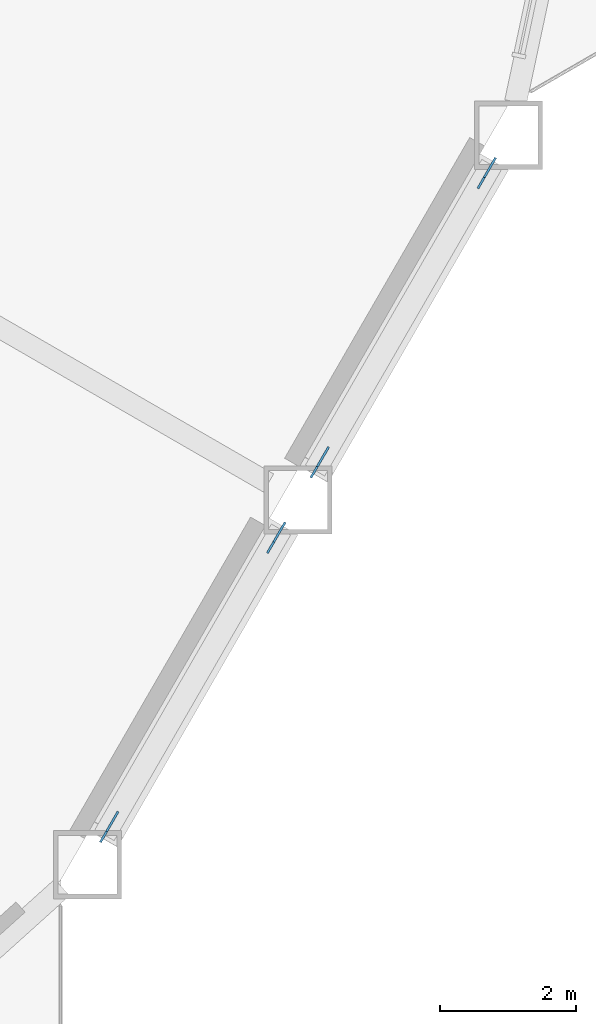
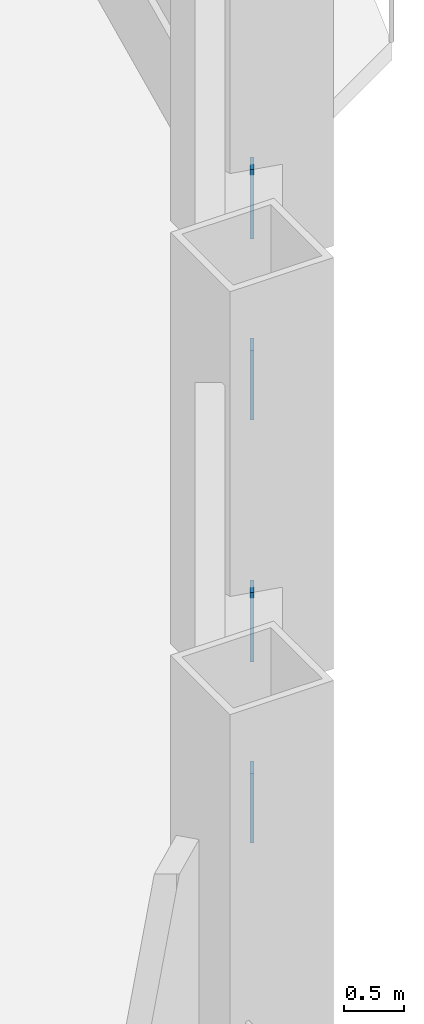
# One storey, part 14 of 20: 4 discrete accessories.
"""IFC4 building model written with IfcOpenShell, lengths in metres."""

from ifc_helpers import new_model, si_unit, direction, frame, origin, origin_2d, place, context, subcontext, project, spatial, rectangle, extrude, material, material_profile, profile_set, type_object, element, save


model = new_model("IFC4")

# Units and contexts
model_context = context("Model", 3, precision=1e-05, world=origin(), true_north=direction((0.0, 1.0)))
body_context = subcontext(model_context, "Body", "Model", "MODEL_VIEW")
ifc_project = project(units=[si_unit("LENGTHUNIT", "METRE"), si_unit("AREAUNIT", "SQUARE_METRE"), si_unit("VOLUMEUNIT", "CUBIC_METRE"), si_unit("PLANEANGLEUNIT", "RADIAN"), si_unit("MASSUNIT", "GRAM", prefix="KILO")], contexts=[model_context])

# Site, building, storey
site_placement = place(None, origin())
site = spatial("IfcSite", under=ifc_project, at=site_placement, CompositionType="ELEMENT")
building_placement = place(site_placement, origin())
building = spatial("IfcBuilding", under=site, at=building_placement, Name="Cormorant Prow Tower", CompositionType="ELEMENT")
storey_placement = place(building_placement, frame((0.0, 0.0, 55.199951171875)))
storey = spatial("IfcBuildingStorey", under=building, at=storey_placement, Name="L11", CompositionType="ELEMENT", Elevation=55.199951171875)

# Discrete accessories
ifc_material = material(Name="Structural steel ASTM A500 Gr C", Category="steel")
ifc_material_profile = material_profile(ifc_material, rectangle(XDim=0.031982421875, YDim=0.60791015625, at=origin_2d()), Name="Gusset plate 32x608")
ifc_profile_set = profile_set([ifc_material_profile], Name="Structural steel ASTM A500 Gr C")
discrete_accessory_type = type_object("IfcDiscreteAccessoryType", Name="Gusset plate 32x608", PredefinedType="BRACKET", material=ifc_profile_set)
discrete_accessory_1_placement = place(storey_placement, frame((27.512939453125, -16.813232421875, 0.859375), z_axis=(0.476464602218, 0.823872174553, -0.306946449452), x_axis=(-0.865660382551, 0.500631703033, 0.0)))
element("IfcDiscreteAccessory", 1, at=discrete_accessory_1_placement, inside=storey, type_object=discrete_accessory_type, Name="Gusset plate GP1 L11.ESE00.g0", PredefinedType="BRACKET", context=body_context, shape_type="SweptSolid", body=[
    extrude(rectangle(XDim=0.031982421875, YDim=0.60791015625, at=origin_2d()), origin(), (0.0, 0.0, 1.0), 0.349853515625),
])
for number, where, z_axis, x_axis, name in (
    (2, (25.232421875, -20.763427734375, 2.32958984375), (-0.475651503409, -0.824369614413, 0.306871937683), (0.866161185697, -0.499764745047, 0.0), "Gusset plate GP1 L11.ESE00.g1"),
    (3, (30.597900390625, -11.47021484375, 0.859375), (0.475651503409, 0.824369614413, -0.306871937683), (-0.866161185697, 0.499764745047, 0.0), "Gusset plate GP1 L11.ESE01.g0"),
):
    element("IfcDiscreteAccessory", number, at=place(storey_placement, frame(where, z_axis=z_axis, x_axis=x_axis)), inside=storey, type_object=discrete_accessory_type, Name=name, PredefinedType="BRACKET", context=body_context, shape_type="SweptSolid", body=[
        extrude(rectangle(XDim=0.031982421875, YDim=0.60791015625, at=origin_2d()), origin(), (0.0, 0.0, 1.0), 0.35009765625),
    ])
discrete_accessory_2_placement = place(storey_placement, frame((28.3173828125, -15.42041015625, 2.32958984375), z_axis=(-0.476464602218, -0.823872174553, 0.306946449452), x_axis=(0.865660382551, -0.500631703033, 0.0)))
element("IfcDiscreteAccessory", 4, at=discrete_accessory_2_placement, inside=storey, type_object=discrete_accessory_type, Name="Gusset plate GP1 L11.ESE01.g1", PredefinedType="BRACKET", context=body_context, shape_type="SweptSolid", body=[
    extrude(rectangle(XDim=0.031982421875, YDim=0.60791015625, at=origin_2d()), origin(), (0.0, 0.0, 1.0), 0.349853515625),
])

save(model, "model.ifc")
